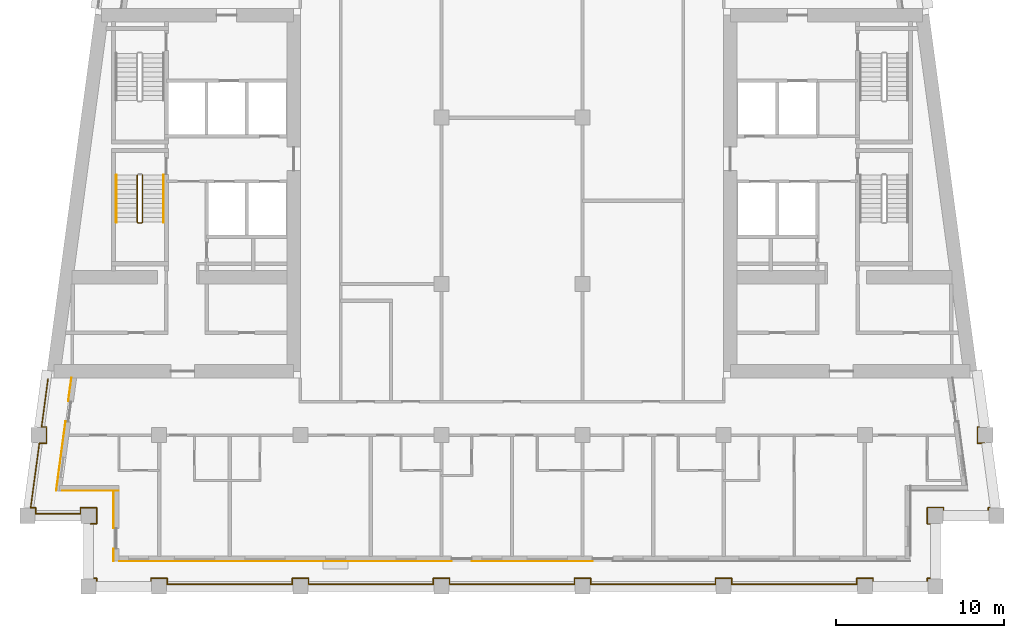
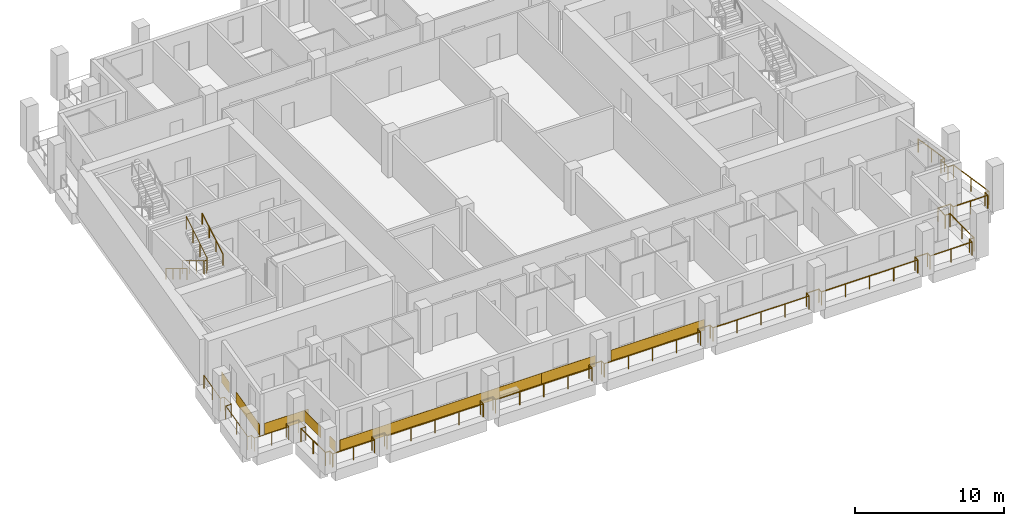
# One storey, part 8 of 12: 8 coverings, 5 railings.
"""IFC4 building model written with IfcOpenShell, lengths in metres."""

from ifc_helpers import new_model, si_unit, direction, frame, origin, origin_2d, place, context, subcontext, project, spatial, rectangle, circle, extrude, material, layer, layer_set, type_object, element, save


model = new_model("IFC4")

# Units and contexts
model_context = context("Model", 3, precision=1e-05, world=origin(), true_north=direction((0.0, 1.0)))
body_context = subcontext(model_context, "Body", "Model", "MODEL_VIEW")
ifc_project = project(units=[si_unit("LENGTHUNIT", "METRE"), si_unit("AREAUNIT", "SQUARE_METRE"), si_unit("VOLUMEUNIT", "CUBIC_METRE"), si_unit("PLANEANGLEUNIT", "RADIAN"), si_unit("MASSUNIT", "GRAM", prefix="KILO")], contexts=[model_context])

# Site, building, storey
site_placement = place(None, origin())
site = spatial("IfcSite", under=ifc_project, at=site_placement, CompositionType="ELEMENT")
building_placement = place(site_placement, origin())
building = spatial("IfcBuilding", under=site, at=building_placement, Name="Candeia Pilgrim Tower and Theatre", CompositionType="ELEMENT")
storey_placement = place(building_placement, frame((0.0, 0.0, 217.0)))
storey = spatial("IfcBuildingStorey", under=building, at=storey_placement, Name="L52", CompositionType="ELEMENT", Elevation=217.0)

# Railings
ifc_material_1 = material(Name="Stainless steel balustrade", Category="steel")
railing_type_1 = type_object("IfcRailingType", Name="G1 loggia guard 1100", PredefinedType="GUARDRAIL", material=ifc_material_1)
railing_1_placement = place(storey_placement, frame((88.320068359375, 101.719970703125, 0.0)))
element("IfcRailing", 1, at=railing_1_placement, inside=storey, type_object=railing_type_1, Name="Guard L52.1", PredefinedType="GUARDRAIL", context=body_context, shape_type="SweptSolid", body=[
    extrude(circle(Radius=0.02392578125, at=origin_2d()), frame((0.0, 0.0, 1.076171875), z_axis=(1.0, 0.0, 0.0), x_axis=(0.0, 1.0, 0.0)), (0.0, 0.0, 1.0), 0.35986328125),
    extrude(circle(Radius=0.02392578125, at=origin_2d()), frame((0.35986328125, 0.0, 1.076171875), z_axis=(0.0, 1.0, 0.0), x_axis=(-1.0, 0.0, 0.0)), (0.0, 0.0, 1.0), 0.9599609375),
    extrude(circle(Radius=0.02392578125, at=origin_2d()), frame((0.35986328125, 0.9599609375, 1.076171875), z_axis=(-1.0, 0.0, 0.0), x_axis=(0.0, -1.0, 0.0)), (0.0, 0.0, 1.0), 0.9599609375),
    extrude(circle(Radius=0.02392578125, at=origin_2d()), frame((-0.60009765625, 0.9599609375, 1.076171875), z_axis=(0.0, -1.0, 0.0), x_axis=(1.0, 0.0, 0.0)), (0.0, 0.0, 1.0), 0.35986328125),
    extrude(circle(Radius=0.02392578125, at=origin_2d()), frame((-0.60009765625, 0.60009765625, 1.076171875), z_axis=(-1.0, 0.0, 0.0), x_axis=(0.0, -1.0, 0.0)), (0.0, 0.0, 1.0), 2.674560546875),
    extrude(circle(Radius=0.02392578125, at=origin_2d()), frame((-3.274658203125, 0.60009765625, 1.076171875), z_axis=(0.0, 1.0, 0.0), x_axis=(-1.0, 0.0, 0.0)), (0.0, 0.0, 1.0), 0.35986328125),
    extrude(circle(Radius=0.02392578125, at=origin_2d()), frame((-3.274658203125, 0.9599609375, 1.076171875), z_axis=(-1.0, 0.0, 0.0), x_axis=(0.0, -1.0, 0.0)), (0.0, 0.0, 1.0), 0.29443359375),
    extrude(circle(Radius=0.02392578125, at=origin_2d()), frame((-3.569091796875, 0.9599609375, 1.076171875), z_axis=(0.133451286285, 0.991055373927, 0.0), x_axis=(-0.991055373927, 0.133451286285, 0.0)), (0.0, 0.0, 1.0), 3.874755859375),
    extrude(circle(Radius=0.02392578125, at=origin_2d()), frame((-3.052001953125, 4.800048828125, 1.076171875), z_axis=(1.0, 0.0, 0.0), x_axis=(0.0, 1.0, 0.0)), (0.0, 0.0, 1.0), 0.423583984375),
    extrude(circle(Radius=0.02392578125, at=origin_2d()), frame((-2.62841796875, 4.800048828125, 1.076171875), z_axis=(0.0, 1.0, 0.0), x_axis=(-1.0, 0.0, 0.0)), (0.0, 0.0, 1.0), 0.9599609375),
    extrude(circle(Radius=0.02392578125, at=origin_2d()), frame((-2.62841796875, 5.760009765625, 1.076171875), z_axis=(-1.0, 0.0, 0.0), x_axis=(0.0, -1.0, 0.0)), (0.0, 0.0, 1.0), 0.29443359375),
    extrude(circle(Radius=0.02392578125, at=origin_2d()), frame((-2.9228515625, 5.760009765625, 1.076171875), z_axis=(0.133450228179, 0.991055516406, 0.0), x_axis=(-0.991055516406, 0.133450228179, 0.0)), (0.0, 0.0, 1.0), 2.89599609375),
    extrude(circle(Radius=0.02099609375, at=origin_2d()), origin(), (0.0, 0.0, 1.0), 1.052001953125),
    extrude(circle(Radius=0.02099609375, at=origin_2d()), frame((0.35986328125, 0.0, 0.0)), (0.0, 0.0, 1.0), 1.052001953125),
    extrude(circle(Radius=0.02099609375, at=origin_2d()), frame((0.35986328125, 0.9599609375, 0.0)), (0.0, 0.0, 1.0), 1.052001953125),
    extrude(circle(Radius=0.02099609375, at=origin_2d()), frame((-0.60009765625, 0.9599609375, 0.0)), (0.0, 0.0, 1.0), 1.052001953125),
    extrude(circle(Radius=0.02099609375, at=origin_2d()), frame((-0.60009765625, 0.60009765625, 0.0)), (0.0, 0.0, 1.0), 1.052001953125),
    extrude(circle(Radius=0.02099609375, at=origin_2d()), frame((-1.9375, 0.60009765625, 0.0)), (0.0, 0.0, 1.0), 1.052001953125),
    extrude(circle(Radius=0.02099609375, at=origin_2d()), frame((-3.274658203125, 0.60009765625, 0.0)), (0.0, 0.0, 1.0), 1.052001953125),
    extrude(circle(Radius=0.02099609375, at=origin_2d()), frame((-3.274658203125, 0.9599609375, 0.0)), (0.0, 0.0, 1.0), 1.052001953125),
    extrude(circle(Radius=0.02099609375, at=origin_2d()), frame((-3.569091796875, 0.9599609375, 0.0)), (0.0, 0.0, 1.0), 1.052001953125),
    extrude(circle(Radius=0.02099609375, at=origin_2d()), frame((-3.310546875, 2.8798828125, 0.0)), (0.0, 0.0, 1.0), 1.052001953125),
    extrude(circle(Radius=0.02099609375, at=origin_2d()), frame((-3.052001953125, 4.800048828125, 0.0)), (0.0, 0.0, 1.0), 1.052001953125),
    extrude(circle(Radius=0.02099609375, at=origin_2d()), frame((-2.62841796875, 4.800048828125, 0.0)), (0.0, 0.0, 1.0), 1.052001953125),
    extrude(circle(Radius=0.02099609375, at=origin_2d()), frame((-2.62841796875, 5.760009765625, 0.0)), (0.0, 0.0, 1.0), 1.052001953125),
    extrude(circle(Radius=0.02099609375, at=origin_2d()), frame((-2.9228515625, 5.760009765625, 0.0)), (0.0, 0.0, 1.0), 1.052001953125),
    extrude(circle(Radius=0.02099609375, at=origin_2d()), frame((-2.7294921875, 7.195068359375, 0.0)), (0.0, 0.0, 1.0), 1.052001953125),
    extrude(circle(Radius=0.02099609375, at=origin_2d()), frame((-2.536376953125, 8.630126953125, 0.0)), (0.0, 0.0, 1.0), 1.052001953125),
])
railing_2_placement = place(storey_placement, frame((141.016357421875, 110.35009765625, 0.0)))
element("IfcRailing", 2, at=railing_2_placement, inside=storey, type_object=railing_type_1, Name="Guard L52.4", PredefinedType="GUARDRAIL", context=body_context, shape_type="SweptSolid", body=[
    extrude(circle(Radius=0.02392578125, at=origin_2d()), frame((0.0, 0.0, 1.076171875), z_axis=(0.133450228179, -0.991055516406, 0.0), x_axis=(0.991055516406, 0.133450228179, 0.0)), (0.0, 0.0, 1.0), 2.89599609375),
    extrude(circle(Radius=0.02392578125, at=origin_2d()), frame((0.386474609375, -2.8701171875, 1.076171875), z_axis=(-1.0, 0.0, 0.0), x_axis=(0.0, -1.0, 0.0)), (0.0, 0.0, 1.0), 0.29443359375),
    extrude(circle(Radius=0.02392578125, at=origin_2d()), frame((0.092041015625, -2.8701171875, 1.076171875), z_axis=(0.0, -1.0, 0.0), x_axis=(1.0, 0.0, 0.0)), (0.0, 0.0, 1.0), 0.9599609375),
    extrude(circle(Radius=0.02392578125, at=origin_2d()), frame((0.092041015625, -3.830078125, 1.076171875), z_axis=(1.0, 0.0, 0.0), x_axis=(0.0, 1.0, 0.0)), (0.0, 0.0, 1.0), 0.423583984375),
    extrude(circle(Radius=0.02392578125, at=origin_2d()), frame((0.515625, -3.830078125, 1.076171875), z_axis=(0.133389399471, -0.991063705374, 0.0), x_axis=(0.991063705374, 0.133389399471, 0.0)), (0.0, 0.0, 1.0), 3.874755859375),
    extrude(circle(Radius=0.02392578125, at=origin_2d()), frame((1.032470703125, -7.670166015625, 1.076171875), z_axis=(-1.0, 0.0, 0.0), x_axis=(0.0, -1.0, 0.0)), (0.0, 0.0, 1.0), 0.294189453125),
    extrude(circle(Radius=0.02392578125, at=origin_2d()), frame((0.73828125, -7.670166015625, 1.076171875), z_axis=(0.0, -1.0, 0.0), x_axis=(1.0, 0.0, 0.0)), (0.0, 0.0, 1.0), 0.35986328125),
    extrude(circle(Radius=0.02392578125, at=origin_2d()), frame((0.73828125, -8.030029296875, 1.076171875), z_axis=(-1.0, 0.0, 0.0), x_axis=(0.0, -1.0, 0.0)), (0.0, 0.0, 1.0), 2.674560546875),
    extrude(circle(Radius=0.02392578125, at=origin_2d()), frame((-1.936279296875, -8.030029296875, 1.076171875), z_axis=(0.0, 1.0, 0.0), x_axis=(-1.0, 0.0, 0.0)), (0.0, 0.0, 1.0), 0.35986328125),
    extrude(circle(Radius=0.02392578125, at=origin_2d()), frame((-1.936279296875, -7.670166015625, 1.076171875), z_axis=(-1.0, 0.0, 0.0), x_axis=(0.0, -1.0, 0.0)), (0.0, 0.0, 1.0), 0.9599609375),
    extrude(circle(Radius=0.02392578125, at=origin_2d()), frame((-2.896240234375, -7.670166015625, 1.076171875), z_axis=(0.0, -1.0, 0.0), x_axis=(1.0, 0.0, 0.0)), (0.0, 0.0, 1.0), 0.9599609375),
    extrude(circle(Radius=0.02392578125, at=origin_2d()), frame((-2.896240234375, -8.630126953125, 1.076171875), z_axis=(1.0, 0.0, 0.0), x_axis=(0.0, 1.0, 0.0)), (0.0, 0.0, 1.0), 0.35986328125),
    extrude(circle(Radius=0.02392578125, at=origin_2d()), frame((-2.536376953125, -8.630126953125, 1.076171875), z_axis=(0.0, -1.0, 0.0), x_axis=(1.0, 0.0, 0.0)), (0.0, 0.0, 1.0), 3.239990234375),
    extrude(circle(Radius=0.02392578125, at=origin_2d()), frame((-2.536376953125, -11.8701171875, 1.076171875), z_axis=(-1.0, 0.0, 0.0), x_axis=(0.0, -1.0, 0.0)), (0.0, 0.0, 1.0), 0.35986328125),
    extrude(circle(Radius=0.02392578125, at=origin_2d()), frame((-2.896240234375, -11.8701171875, 1.076171875), z_axis=(0.0, -1.0, 0.0), x_axis=(1.0, 0.0, 0.0)), (0.0, 0.0, 1.0), 0.35986328125),
    extrude(circle(Radius=0.02392578125, at=origin_2d()), frame((-2.896240234375, -12.22998046875, 1.076171875), z_axis=(-1.0, 0.0, 0.0), x_axis=(0.0, -1.0, 0.0)), (0.0, 0.0, 1.0), 3.240234375),
    extrude(circle(Radius=0.02392578125, at=origin_2d()), frame((-6.136474609375, -12.22998046875, 1.076171875), z_axis=(0.0, 1.0, 0.0), x_axis=(-1.0, 0.0, 0.0)), (0.0, 0.0, 1.0), 0.35986328125),
    extrude(circle(Radius=0.02392578125, at=origin_2d()), frame((-6.136474609375, -11.8701171875, 1.076171875), z_axis=(-1.0, 0.0, 0.0), x_axis=(0.0, -1.0, 0.0)), (0.0, 0.0, 1.0), 0.9599609375),
    extrude(circle(Radius=0.02392578125, at=origin_2d()), frame((-7.096435546875, -11.8701171875, 1.076171875), z_axis=(0.0, -1.0, 0.0), x_axis=(1.0, 0.0, 0.0)), (0.0, 0.0, 1.0), 0.35986328125),
    extrude(circle(Radius=0.02392578125, at=origin_2d()), frame((-7.096435546875, -12.22998046875, 1.076171875), z_axis=(-1.0, 0.0, 0.0), x_axis=(0.0, -1.0, 0.0)), (0.0, 0.0, 1.0), 7.43994140625),
    extrude(circle(Radius=0.02392578125, at=origin_2d()), frame((-14.536376953125, -12.22998046875, 1.076171875), z_axis=(0.0, 1.0, 0.0), x_axis=(-1.0, 0.0, 0.0)), (0.0, 0.0, 1.0), 0.35986328125),
    extrude(circle(Radius=0.02392578125, at=origin_2d()), frame((-14.536376953125, -11.8701171875, 1.076171875), z_axis=(-1.0, 0.0, 0.0), x_axis=(0.0, -1.0, 0.0)), (0.0, 0.0, 1.0), 0.9599609375),
    extrude(circle(Radius=0.02392578125, at=origin_2d()), frame((-15.496337890625, -11.8701171875, 1.076171875), z_axis=(0.0, -1.0, 0.0), x_axis=(1.0, 0.0, 0.0)), (0.0, 0.0, 1.0), 0.35986328125),
    extrude(circle(Radius=0.02392578125, at=origin_2d()), frame((-15.496337890625, -12.22998046875, 1.076171875), z_axis=(-1.0, 0.0, 0.0), x_axis=(0.0, -1.0, 0.0)), (0.0, 0.0, 1.0), 7.43994140625),
    extrude(circle(Radius=0.02392578125, at=origin_2d()), frame((-22.936279296875, -12.22998046875, 1.076171875), z_axis=(0.0, 1.0, 0.0), x_axis=(-1.0, 0.0, 0.0)), (0.0, 0.0, 1.0), 0.35986328125),
    extrude(circle(Radius=0.02392578125, at=origin_2d()), frame((-22.936279296875, -11.8701171875, 1.076171875), z_axis=(-1.0, 0.0, 0.0), x_axis=(0.0, -1.0, 0.0)), (0.0, 0.0, 1.0), 0.9599609375),
    extrude(circle(Radius=0.02392578125, at=origin_2d()), frame((-23.896240234375, -11.8701171875, 1.076171875), z_axis=(0.0, -1.0, 0.0), x_axis=(1.0, 0.0, 0.0)), (0.0, 0.0, 1.0), 0.35986328125),
    extrude(circle(Radius=0.02392578125, at=origin_2d()), frame((-23.896240234375, -12.22998046875, 1.076171875), z_axis=(-1.0, 0.0, 0.0), x_axis=(0.0, -1.0, 0.0)), (0.0, 0.0, 1.0), 7.440185546875),
    extrude(circle(Radius=0.02392578125, at=origin_2d()), frame((-31.33642578125, -12.22998046875, 1.076171875), z_axis=(0.0, 1.0, 0.0), x_axis=(-1.0, 0.0, 0.0)), (0.0, 0.0, 1.0), 0.35986328125),
    extrude(circle(Radius=0.02392578125, at=origin_2d()), frame((-31.33642578125, -11.8701171875, 1.076171875), z_axis=(-1.0, 0.0, 0.0), x_axis=(0.0, -1.0, 0.0)), (0.0, 0.0, 1.0), 0.9599609375),
    extrude(circle(Radius=0.02392578125, at=origin_2d()), frame((-32.29638671875, -11.8701171875, 1.076171875), z_axis=(0.0, -1.0, 0.0), x_axis=(1.0, 0.0, 0.0)), (0.0, 0.0, 1.0), 0.35986328125),
    extrude(circle(Radius=0.02392578125, at=origin_2d()), frame((-32.29638671875, -12.22998046875, 1.076171875), z_axis=(-1.0, 0.0, 0.0), x_axis=(0.0, -1.0, 0.0)), (0.0, 0.0, 1.0), 7.43994140625),
    extrude(circle(Radius=0.02392578125, at=origin_2d()), frame((-39.736328125, -12.22998046875, 1.076171875), z_axis=(0.0, 1.0, 0.0), x_axis=(-1.0, 0.0, 0.0)), (0.0, 0.0, 1.0), 0.35986328125),
    extrude(circle(Radius=0.02392578125, at=origin_2d()), frame((-39.736328125, -11.8701171875, 1.076171875), z_axis=(-1.0, 0.0, 0.0), x_axis=(0.0, -1.0, 0.0)), (0.0, 0.0, 1.0), 0.9599609375),
    extrude(circle(Radius=0.02392578125, at=origin_2d()), frame((-40.6962890625, -11.8701171875, 1.076171875), z_axis=(0.0, -1.0, 0.0), x_axis=(1.0, 0.0, 0.0)), (0.0, 0.0, 1.0), 0.35986328125),
    extrude(circle(Radius=0.02392578125, at=origin_2d()), frame((-40.6962890625, -12.22998046875, 1.076171875), z_axis=(-1.0, 0.0, 0.0), x_axis=(0.0, -1.0, 0.0)), (0.0, 0.0, 1.0), 7.440185546875),
    extrude(circle(Radius=0.02392578125, at=origin_2d()), frame((-48.136474609375, -12.22998046875, 1.076171875), z_axis=(0.0, 1.0, 0.0), x_axis=(-1.0, 0.0, 0.0)), (0.0, 0.0, 1.0), 0.35986328125),
    extrude(circle(Radius=0.02392578125, at=origin_2d()), frame((-48.136474609375, -11.8701171875, 1.076171875), z_axis=(-1.0, 0.0, 0.0), x_axis=(0.0, -1.0, 0.0)), (0.0, 0.0, 1.0), 0.9599609375),
    extrude(circle(Radius=0.02392578125, at=origin_2d()), frame((-49.096435546875, -11.8701171875, 1.076171875), z_axis=(0.0, -1.0, 0.0), x_axis=(1.0, 0.0, 0.0)), (0.0, 0.0, 1.0), 0.35986328125),
    extrude(circle(Radius=0.02392578125, at=origin_2d()), frame((-49.096435546875, -12.22998046875, 1.076171875), z_axis=(-1.0, 0.0, 0.0), x_axis=(0.0, -1.0, 0.0)), (0.0, 0.0, 1.0), 3.239990234375),
    extrude(circle(Radius=0.02392578125, at=origin_2d()), frame((-52.33642578125, -12.22998046875, 1.076171875), z_axis=(0.0, 1.0, 0.0), x_axis=(-1.0, 0.0, 0.0)), (0.0, 0.0, 1.0), 0.35986328125),
    extrude(circle(Radius=0.02392578125, at=origin_2d()), frame((-52.33642578125, -11.8701171875, 1.076171875), z_axis=(-1.0, 0.0, 0.0), x_axis=(0.0, -1.0, 0.0)), (0.0, 0.0, 1.0), 0.35986328125),
    extrude(circle(Radius=0.02392578125, at=origin_2d()), frame((-52.6962890625, -11.8701171875, 1.076171875), z_axis=(0.0, 1.0, 0.0), x_axis=(-1.0, 0.0, 0.0)), (0.0, 0.0, 1.0), 3.239990234375),
    extrude(circle(Radius=0.02099609375, at=origin_2d()), origin(), (0.0, 0.0, 1.0), 1.052001953125),
    extrude(circle(Radius=0.02099609375, at=origin_2d()), frame((0.193359375, -1.43505859375, 0.0)), (0.0, 0.0, 1.0), 1.052001953125),
    extrude(circle(Radius=0.02099609375, at=origin_2d()), frame((0.386474609375, -2.8701171875, 0.0)), (0.0, 0.0, 1.0), 1.052001953125),
    extrude(circle(Radius=0.02099609375, at=origin_2d()), frame((0.092041015625, -2.8701171875, 0.0)), (0.0, 0.0, 1.0), 1.052001953125),
    extrude(circle(Radius=0.02099609375, at=origin_2d()), frame((0.092041015625, -3.830078125, 0.0)), (0.0, 0.0, 1.0), 1.052001953125),
    extrude(circle(Radius=0.02099609375, at=origin_2d()), frame((0.515625, -3.830078125, 0.0)), (0.0, 0.0, 1.0), 1.052001953125),
    extrude(circle(Radius=0.02099609375, at=origin_2d()), frame((0.77392578125, -5.75, 0.0)), (0.0, 0.0, 1.0), 1.052001953125),
    extrude(circle(Radius=0.02099609375, at=origin_2d()), frame((1.032470703125, -7.670166015625, 0.0)), (0.0, 0.0, 1.0), 1.052001953125),
    extrude(circle(Radius=0.02099609375, at=origin_2d()), frame((0.73828125, -7.670166015625, 0.0)), (0.0, 0.0, 1.0), 1.052001953125),
    extrude(circle(Radius=0.02099609375, at=origin_2d()), frame((0.73828125, -8.030029296875, 0.0)), (0.0, 0.0, 1.0), 1.052001953125),
    extrude(circle(Radius=0.02099609375, at=origin_2d()), frame((-0.59912109375, -8.030029296875, 0.0)), (0.0, 0.0, 1.0), 1.052001953125),
    extrude(circle(Radius=0.02099609375, at=origin_2d()), frame((-1.936279296875, -8.030029296875, 0.0)), (0.0, 0.0, 1.0), 1.052001953125),
    extrude(circle(Radius=0.02099609375, at=origin_2d()), frame((-1.936279296875, -7.670166015625, 0.0)), (0.0, 0.0, 1.0), 1.052001953125),
    extrude(circle(Radius=0.02099609375, at=origin_2d()), frame((-2.896240234375, -7.670166015625, 0.0)), (0.0, 0.0, 1.0), 1.052001953125),
    extrude(circle(Radius=0.02099609375, at=origin_2d()), frame((-2.896240234375, -8.630126953125, 0.0)), (0.0, 0.0, 1.0), 1.052001953125),
    extrude(circle(Radius=0.02099609375, at=origin_2d()), frame((-2.536376953125, -8.630126953125, 0.0)), (0.0, 0.0, 1.0), 1.052001953125),
    extrude(circle(Radius=0.02099609375, at=origin_2d()), frame((-2.536376953125, -10.25, 0.0)), (0.0, 0.0, 1.0), 1.052001953125),
    extrude(circle(Radius=0.02099609375, at=origin_2d()), frame((-2.536376953125, -11.8701171875, 0.0)), (0.0, 0.0, 1.0), 1.052001953125),
    extrude(circle(Radius=0.02099609375, at=origin_2d()), frame((-2.896240234375, -11.8701171875, 0.0)), (0.0, 0.0, 1.0), 1.052001953125),
    extrude(circle(Radius=0.02099609375, at=origin_2d()), frame((-2.896240234375, -12.22998046875, 0.0)), (0.0, 0.0, 1.0), 1.052001953125),
    extrude(circle(Radius=0.02099609375, at=origin_2d()), frame((-4.516357421875, -12.22998046875, 0.0)), (0.0, 0.0, 1.0), 1.052001953125),
    extrude(circle(Radius=0.02099609375, at=origin_2d()), frame((-6.136474609375, -12.22998046875, 0.0)), (0.0, 0.0, 1.0), 1.052001953125),
    extrude(circle(Radius=0.02099609375, at=origin_2d()), frame((-6.136474609375, -11.8701171875, 0.0)), (0.0, 0.0, 1.0), 1.052001953125),
    extrude(circle(Radius=0.02099609375, at=origin_2d()), frame((-7.096435546875, -11.8701171875, 0.0)), (0.0, 0.0, 1.0), 1.052001953125),
    extrude(circle(Radius=0.02099609375, at=origin_2d()), frame((-7.096435546875, -12.22998046875, 0.0)), (0.0, 0.0, 1.0), 1.052001953125),
    extrude(circle(Radius=0.02099609375, at=origin_2d()), frame((-8.95654296875, -12.22998046875, 0.0)), (0.0, 0.0, 1.0), 1.052001953125),
    extrude(circle(Radius=0.02099609375, at=origin_2d()), frame((-10.81640625, -12.22998046875, 0.0)), (0.0, 0.0, 1.0), 1.052001953125),
    extrude(circle(Radius=0.02099609375, at=origin_2d()), frame((-12.67626953125, -12.22998046875, 0.0)), (0.0, 0.0, 1.0), 1.052001953125),
    extrude(circle(Radius=0.02099609375, at=origin_2d()), frame((-14.536376953125, -12.22998046875, 0.0)), (0.0, 0.0, 1.0), 1.052001953125),
    extrude(circle(Radius=0.02099609375, at=origin_2d()), frame((-14.536376953125, -11.8701171875, 0.0)), (0.0, 0.0, 1.0), 1.052001953125),
    extrude(circle(Radius=0.02099609375, at=origin_2d()), frame((-15.496337890625, -11.8701171875, 0.0)), (0.0, 0.0, 1.0), 1.052001953125),
    extrude(circle(Radius=0.02099609375, at=origin_2d()), frame((-15.496337890625, -12.22998046875, 0.0)), (0.0, 0.0, 1.0), 1.052001953125),
    extrude(circle(Radius=0.02099609375, at=origin_2d()), frame((-17.3564453125, -12.22998046875, 0.0)), (0.0, 0.0, 1.0), 1.052001953125),
    extrude(circle(Radius=0.02099609375, at=origin_2d()), frame((-19.21630859375, -12.22998046875, 0.0)), (0.0, 0.0, 1.0), 1.052001953125),
    extrude(circle(Radius=0.02099609375, at=origin_2d()), frame((-21.076171875, -12.22998046875, 0.0)), (0.0, 0.0, 1.0), 1.052001953125),
    extrude(circle(Radius=0.02099609375, at=origin_2d()), frame((-22.936279296875, -12.22998046875, 0.0)), (0.0, 0.0, 1.0), 1.052001953125),
    extrude(circle(Radius=0.02099609375, at=origin_2d()), frame((-22.936279296875, -11.8701171875, 0.0)), (0.0, 0.0, 1.0), 1.052001953125),
    extrude(circle(Radius=0.02099609375, at=origin_2d()), frame((-23.896240234375, -11.8701171875, 0.0)), (0.0, 0.0, 1.0), 1.052001953125),
    extrude(circle(Radius=0.02099609375, at=origin_2d()), frame((-23.896240234375, -12.22998046875, 0.0)), (0.0, 0.0, 1.0), 1.052001953125),
    extrude(circle(Radius=0.02099609375, at=origin_2d()), frame((-25.75634765625, -12.22998046875, 0.0)), (0.0, 0.0, 1.0), 1.052001953125),
    extrude(circle(Radius=0.02099609375, at=origin_2d()), frame((-27.6162109375, -12.22998046875, 0.0)), (0.0, 0.0, 1.0), 1.052001953125),
    extrude(circle(Radius=0.02099609375, at=origin_2d()), frame((-29.476318359375, -12.22998046875, 0.0)), (0.0, 0.0, 1.0), 1.052001953125),
    extrude(circle(Radius=0.02099609375, at=origin_2d()), frame((-31.33642578125, -12.22998046875, 0.0)), (0.0, 0.0, 1.0), 1.052001953125),
    extrude(circle(Radius=0.02099609375, at=origin_2d()), frame((-31.33642578125, -11.8701171875, 0.0)), (0.0, 0.0, 1.0), 1.052001953125),
    extrude(circle(Radius=0.02099609375, at=origin_2d()), frame((-32.29638671875, -11.8701171875, 0.0)), (0.0, 0.0, 1.0), 1.052001953125),
    extrude(circle(Radius=0.02099609375, at=origin_2d()), frame((-32.29638671875, -12.22998046875, 0.0)), (0.0, 0.0, 1.0), 1.052001953125),
    extrude(circle(Radius=0.02099609375, at=origin_2d()), frame((-34.15625, -12.22998046875, 0.0)), (0.0, 0.0, 1.0), 1.052001953125),
    extrude(circle(Radius=0.02099609375, at=origin_2d()), frame((-36.016357421875, -12.22998046875, 0.0)), (0.0, 0.0, 1.0), 1.052001953125),
    extrude(circle(Radius=0.02099609375, at=origin_2d()), frame((-37.87646484375, -12.22998046875, 0.0)), (0.0, 0.0, 1.0), 1.052001953125),
    extrude(circle(Radius=0.02099609375, at=origin_2d()), frame((-39.736328125, -12.22998046875, 0.0)), (0.0, 0.0, 1.0), 1.052001953125),
    extrude(circle(Radius=0.02099609375, at=origin_2d()), frame((-39.736328125, -11.8701171875, 0.0)), (0.0, 0.0, 1.0), 1.052001953125),
    extrude(circle(Radius=0.02099609375, at=origin_2d()), frame((-40.6962890625, -11.8701171875, 0.0)), (0.0, 0.0, 1.0), 1.052001953125),
    extrude(circle(Radius=0.02099609375, at=origin_2d()), frame((-40.6962890625, -12.22998046875, 0.0)), (0.0, 0.0, 1.0), 1.052001953125),
    extrude(circle(Radius=0.02099609375, at=origin_2d()), frame((-42.556396484375, -12.22998046875, 0.0)), (0.0, 0.0, 1.0), 1.052001953125),
    extrude(circle(Radius=0.02099609375, at=origin_2d()), frame((-44.41650390625, -12.22998046875, 0.0)), (0.0, 0.0, 1.0), 1.052001953125),
    extrude(circle(Radius=0.02099609375, at=origin_2d()), frame((-46.2763671875, -12.22998046875, 0.0)), (0.0, 0.0, 1.0), 1.052001953125),
    extrude(circle(Radius=0.02099609375, at=origin_2d()), frame((-48.136474609375, -12.22998046875, 0.0)), (0.0, 0.0, 1.0), 1.052001953125),
    extrude(circle(Radius=0.02099609375, at=origin_2d()), frame((-48.136474609375, -11.8701171875, 0.0)), (0.0, 0.0, 1.0), 1.052001953125),
    extrude(circle(Radius=0.02099609375, at=origin_2d()), frame((-49.096435546875, -11.8701171875, 0.0)), (0.0, 0.0, 1.0), 1.052001953125),
    extrude(circle(Radius=0.02099609375, at=origin_2d()), frame((-49.096435546875, -12.22998046875, 0.0)), (0.0, 0.0, 1.0), 1.052001953125),
    extrude(circle(Radius=0.02099609375, at=origin_2d()), frame((-50.71630859375, -12.22998046875, 0.0)), (0.0, 0.0, 1.0), 1.052001953125),
    extrude(circle(Radius=0.02099609375, at=origin_2d()), frame((-52.33642578125, -12.22998046875, 0.0)), (0.0, 0.0, 1.0), 1.052001953125),
    extrude(circle(Radius=0.02099609375, at=origin_2d()), frame((-52.33642578125, -11.8701171875, 0.0)), (0.0, 0.0, 1.0), 1.052001953125),
    extrude(circle(Radius=0.02099609375, at=origin_2d()), frame((-52.6962890625, -11.8701171875, 0.0)), (0.0, 0.0, 1.0), 1.052001953125),
    extrude(circle(Radius=0.02099609375, at=origin_2d()), frame((-52.6962890625, -10.25, 0.0)), (0.0, 0.0, 1.0), 1.052001953125),
    extrude(circle(Radius=0.02099609375, at=origin_2d()), frame((-52.6962890625, -8.630126953125, 0.0)), (0.0, 0.0, 1.0), 1.052001953125),
])

# Coverings
ifc_material_2 = material(Name="Glazed ceramic tile bottle green")
ifc_layer_1 = layer(ifc_material_2, 0.02001953125)
ifc_layer_set_1 = layer_set([ifc_layer_1], Name="Glazed ceramic tile bottle green")
covering_type_1 = type_object("IfcCoveringType", Name="Glazed ceramic tile bottle green", PredefinedType="CLADDING", material=ifc_layer_set_1)
covering_1_placement = place(storey_placement, frame((107.699951171875, 99.489990234375, 0.0), z_axis=(0.0, 0.0, 1.0), x_axis=(1.0, 0.0, 0.0)))
element("IfcCovering", 3, at=covering_1_placement, inside=storey, type_object=covering_type_1, Name="Tile cladding bottle green L52", PredefinedType="CLADDING", context=body_context, shape_type="SweptSolid", body=[
    extrude(rectangle(XDim=4.199951171875, YDim=0.02001953125, at=origin_2d()), origin(), (0.0, 0.0, 1.0), 0.89990234375),
])
covering_2_placement = place(storey_placement, frame((114.60009765625, 99.489990234375, 0.0), z_axis=(0.0, 0.0, 1.0), x_axis=(1.0, 0.0, 0.0)))
element("IfcCovering", 4, at=covering_2_placement, inside=storey, type_object=covering_type_1, Name="Tile cladding bottle green L52", PredefinedType="CLADDING", context=body_context, shape_type="SweptSolid", body=[
    extrude(rectangle(XDim=7.199951171875, YDim=0.02001953125, at=origin_2d()), origin(), (0.0, 0.0, 1.0), 0.89990234375),
])
ifc_material_3 = material(Name="Glazed ceramic tile rust")
ifc_layer_2 = layer(ifc_material_3, 0.02001953125)
ifc_layer_set_2 = layer_set([ifc_layer_2], Name="Glazed ceramic tile rust")
covering_type_2 = type_object("IfcCoveringType", Name="Glazed ceramic tile rust", PredefinedType="CLADDING", material=ifc_layer_set_2)
covering_3_placement = place(storey_placement, frame((97.81005859375, 99.489990234375, 0.0), z_axis=(0.0, 0.0, 1.0), x_axis=(1.0, 0.0, 0.0)))
element("IfcCovering", 5, at=covering_3_placement, inside=storey, type_object=covering_type_2, Name="Tile cladding rust L52", PredefinedType="CLADDING", context=body_context, shape_type="SweptSolid", body=[
    extrude(rectangle(XDim=15.580078125, YDim=0.02001953125, at=origin_2d()), origin(), (0.0, 0.0, 1.0), 0.89990234375),
])
covering_4_placement = place(storey_placement, frame((87.0810546875, 109.71875, 0.0), z_axis=(0.0, 0.0, 1.0), x_axis=(-0.133412012145, -0.991060661622, 0.0)))
element("IfcCovering", 6, at=covering_4_placement, inside=storey, type_object=covering_type_2, Name="Tile cladding rust L52", PredefinedType="CLADDING", context=body_context, shape_type="SweptSolid", body=[
    extrude(rectangle(XDim=1.41796875, YDim=0.02001953125, at=origin_2d()), origin(), (0.0, 0.0, 1.0), 0.89990234375),
])
covering_5_placement = place(storey_placement, frame((86.548583984375, 105.763916015625, 0.0), z_axis=(0.0, 0.0, 1.0), x_axis=(-0.133412012145, -0.991060661622, 0.0)))
element("IfcCovering", 7, at=covering_5_placement, inside=storey, type_object=covering_type_2, Name="Tile cladding rust L52", PredefinedType="CLADDING", context=body_context, shape_type="SweptSolid", body=[
    extrude(rectangle(XDim=4.16259765625, YDim=0.02001953125, at=origin_2d()), origin(), (0.0, 0.0, 1.0), 0.89990234375),
])
covering_6_placement = place(storey_placement, frame((88.311279296875, 103.68994140625, 0.0), z_axis=(0.0, 0.0, 1.0), x_axis=(1.0, 0.0, 0.0)))
element("IfcCovering", 8, at=covering_6_placement, inside=storey, type_object=covering_type_2, Name="Tile cladding rust L52", PredefinedType="CLADDING", context=body_context, shape_type="SweptSolid", body=[
    extrude(rectangle(XDim=3.377685546875, YDim=0.02001953125, at=origin_2d()), origin(), (0.0, 0.0, 1.0), 0.89990234375),
])
covering_7_placement = place(storey_placement, frame((89.68994140625, 102.56494140625, 0.0), z_axis=(0.0, 0.0, 1.0), x_axis=(0.0, -1.0, 0.0)))
element("IfcCovering", 9, at=covering_7_placement, inside=storey, type_object=covering_type_2, Name="Tile cladding rust L52", PredefinedType="CLADDING", context=body_context, shape_type="SweptSolid", body=[
    extrude(rectangle(XDim=2.22998046875, YDim=0.02001953125, at=origin_2d()), origin(), (0.0, 0.0, 1.0), 0.89990234375),
])
covering_8_placement = place(storey_placement, frame((89.68994140625, 99.875, 0.0), z_axis=(0.0, 0.0, 1.0), x_axis=(0.0, -1.0, 0.0)))
element("IfcCovering", 10, at=covering_8_placement, inside=storey, type_object=covering_type_2, Name="Tile cladding rust L52", PredefinedType="CLADDING", context=body_context, shape_type="SweptSolid", body=[
    extrude(rectangle(XDim=0.75, YDim=0.02001953125, at=origin_2d()), origin(), (0.0, 0.0, 1.0), 0.89990234375),
])

# Railings
railing_type_2 = type_object("IfcRailingType", Name="RL-GUARD-1100", PredefinedType="GUARDRAIL", material=ifc_material_1)
railing_3_placement = place(storey_placement, frame((91.10205078125, 122.47509765625, 0.168212890625)))
element("IfcRailing", 11, at=railing_3_placement, inside=storey, type_object=railing_type_2, Name="L52 ST1 stair guard 1", PredefinedType="GUARDRAIL", context=body_context, shape_type="SweptSolid", body=[
    extrude(circle(Radius=0.02392578125, at=origin_2d()), frame((0.0, 0.0, 1.076171875), z_axis=(0.0, -0.857242210791, 0.514913383045), x_axis=(1.0, 0.0, 0.0)), (0.0, 0.0, 1.0), 3.266357421875),
    extrude(circle(Radius=0.02392578125, at=origin_2d()), frame((0.0, -2.800048828125, 2.7578125), z_axis=(0.707106781187, -0.707106781187, 0.0), x_axis=(0.707106781187, 0.707106781187, 0.0)), (0.0, 0.0, 1.0), 0.07080078125),
    extrude(circle(Radius=0.02392578125, at=origin_2d()), frame((0.050048828125, -2.85009765625, 2.7578125), z_axis=(1.0, 0.0, 0.0), x_axis=(0.0, 1.0, 0.0)), (0.0, 0.0, 1.0), 0.199951171875),
    extrude(circle(Radius=0.02392578125, at=origin_2d()), frame((0.25, -2.85009765625, 2.7578125), z_axis=(0.274582412415, 0.274582412415, 0.921525364591), x_axis=(-0.707106781187, 0.707106781187, 0.0)), (0.0, 0.0, 1.0), 0.182373046875),
    extrude(circle(Radius=0.02392578125, at=origin_2d()), frame((0.300048828125, -2.800048828125, 2.92578125), z_axis=(0.0, 0.857242210791, 0.514913383045), x_axis=(-1.0, 0.0, 0.0)), (0.0, 0.0, 1.0), 3.266357421875),
    extrude(circle(Radius=0.02099609375, at=origin_2d()), origin(), (0.0, 0.0, 1.0), 1.052001953125),
    extrude(circle(Radius=0.02099609375, at=origin_2d()), frame((0.0, -0.933349609375, 0.560546875)), (0.0, 0.0, 1.0), 1.052001953125),
    extrude(circle(Radius=0.02099609375, at=origin_2d()), frame((0.0, -1.86669921875, 1.121337890625)), (0.0, 0.0, 1.0), 1.052001953125),
    extrude(circle(Radius=0.02099609375, at=origin_2d()), frame((0.0, -2.800048828125, 1.681884765625)), (0.0, 0.0, 1.0), 1.052001953125),
    extrude(circle(Radius=0.02099609375, at=origin_2d()), frame((0.050048828125, -2.85009765625, 1.681884765625)), (0.0, 0.0, 1.0), 1.052001953125),
    extrude(circle(Radius=0.02099609375, at=origin_2d()), frame((0.25, -2.85009765625, 1.681884765625)), (0.0, 0.0, 1.0), 1.052001953125),
    extrude(circle(Radius=0.02099609375, at=origin_2d()), frame((0.300048828125, -2.800048828125, 1.849853515625)), (0.0, 0.0, 1.0), 1.052001953125),
    extrude(circle(Radius=0.02099609375, at=origin_2d()), frame((0.300048828125, -1.86669921875, 2.410400390625)), (0.0, 0.0, 1.0), 1.052001953125),
    extrude(circle(Radius=0.02099609375, at=origin_2d()), frame((0.300048828125, -0.933349609375, 2.97119140625)), (0.0, 0.0, 1.0), 1.052001953125),
    extrude(circle(Radius=0.02099609375, at=origin_2d()), frame((0.300048828125, 0.0, 3.53173828125)), (0.0, 0.0, 1.0), 1.052001953125),
])
ifc_material_4 = material(Name="Stainless steel handrail", Category="steel")
railing_type_3 = type_object("IfcRailingType", Name="RL-HANDRAIL-900", PredefinedType="HANDRAIL", material=ifc_material_4)
railing_4_placement = place(storey_placement, frame((89.85205078125, 122.47509765625, 0.168212890625)))
element("IfcRailing", 12, at=railing_4_placement, inside=storey, type_object=railing_type_3, Name="L52 ST1 stair handrail 1", PredefinedType="HANDRAIL", context=body_context, shape_type="SweptSolid", body=[
    extrude(circle(Radius=0.02392578125, at=origin_2d()), frame((0.0, 0.0, 0.8759765625), z_axis=(0.0, -0.857242210791, 0.514913383045), x_axis=(1.0, 0.0, 0.0)), (0.0, 0.0, 1.0), 3.266357421875),
    extrude(circle(Radius=0.02099609375, at=origin_2d()), origin(), (0.0, 0.0, 1.0), 0.851806640625),
    extrude(circle(Radius=0.02099609375, at=origin_2d()), frame((0.0, -0.933349609375, 0.560546875)), (0.0, 0.0, 1.0), 0.851806640625),
    extrude(circle(Radius=0.02099609375, at=origin_2d()), frame((0.0, -1.86669921875, 1.121337890625)), (0.0, 0.0, 1.0), 0.851806640625),
    extrude(circle(Radius=0.02099609375, at=origin_2d()), frame((0.0, -2.800048828125, 1.681884765625)), (0.0, 0.0, 1.0), 0.851806640625),
])
railing_5_placement = place(storey_placement, frame((92.652099609375, 119.675048828125, 2.01806640625)))
element("IfcRailing", 13, at=railing_5_placement, inside=storey, type_object=railing_type_3, Name="L52 ST1 stair handrail 2", PredefinedType="HANDRAIL", context=body_context, shape_type="SweptSolid", body=[
    extrude(circle(Radius=0.02392578125, at=origin_2d()), frame((0.0, 0.0, 0.8759765625), z_axis=(0.0, 0.857242210791, 0.514913383045), x_axis=(-1.0, 0.0, 0.0)), (0.0, 0.0, 1.0), 3.266357421875),
    extrude(circle(Radius=0.02099609375, at=origin_2d()), origin(), (0.0, 0.0, 1.0), 0.851806640625),
    extrude(circle(Radius=0.02099609375, at=origin_2d()), frame((0.0, 0.933349609375, 0.560546875)), (0.0, 0.0, 1.0), 0.851806640625),
    extrude(circle(Radius=0.02099609375, at=origin_2d()), frame((0.0, 1.86669921875, 1.121337890625)), (0.0, 0.0, 1.0), 0.851806640625),
    extrude(circle(Radius=0.02099609375, at=origin_2d()), frame((0.0, 2.800048828125, 1.681884765625)), (0.0, 0.0, 1.0), 0.851806640625),
])

save(model, "model.ifc")
